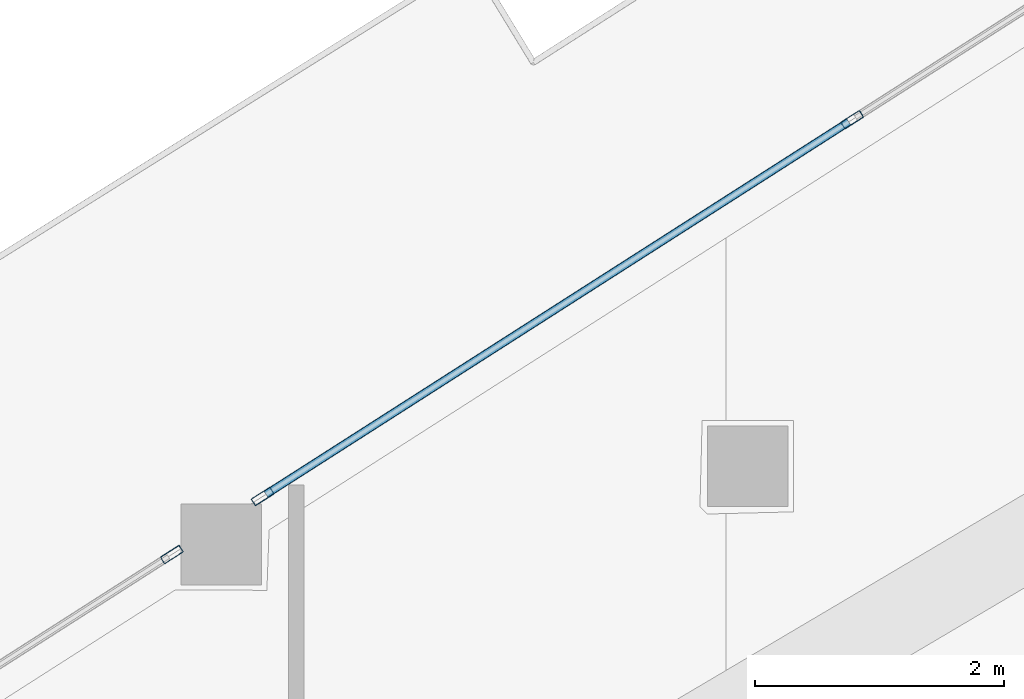
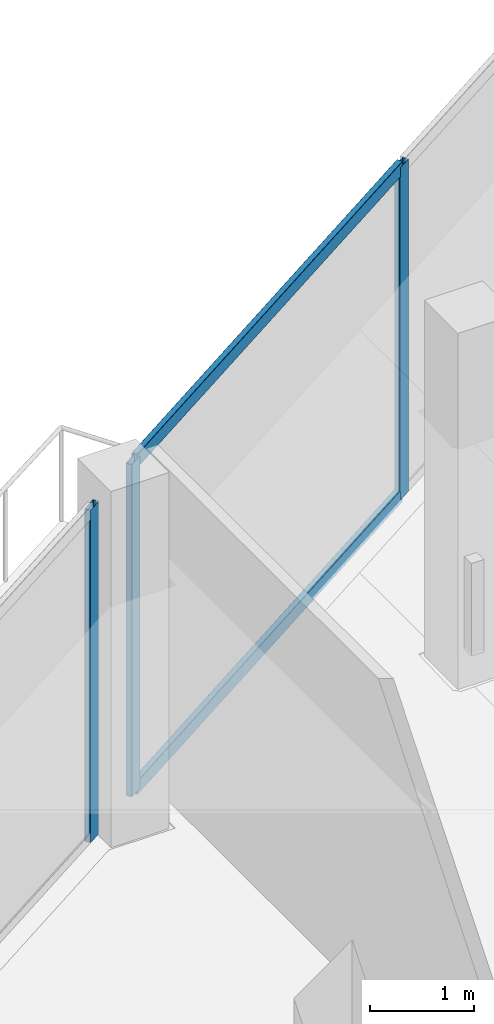
# One storey, part 18 of 45: 5 members, 2 elements without a shape of their own.
"""IFC4 building model written with IfcOpenShell, lengths in metres."""

from ifc_helpers import new_model, si_unit, direction, frame, origin, origin_2d, place, context, subcontext, project, spatial, hollow_rectangle, extrude, material, layer, layer_set, material_profile, profile_set, type_object, element, aggregate, save


model = new_model("IFC4")

# Units and contexts
model_context = context("Model", 3, precision=1e-05, world=origin(), true_north=direction((0.0, 1.0)))
body_context = subcontext(model_context, "Body", "Model", "MODEL_VIEW")
ifc_project = project(units=[si_unit("LENGTHUNIT", "METRE"), si_unit("AREAUNIT", "SQUARE_METRE"), si_unit("VOLUMEUNIT", "CUBIC_METRE"), si_unit("PLANEANGLEUNIT", "RADIAN"), si_unit("MASSUNIT", "GRAM", prefix="KILO")], contexts=[model_context])

# Site, building, storey
site_placement = place(None, origin())
site = spatial("IfcSite", under=ifc_project, at=site_placement, CompositionType="ELEMENT")
building_placement = place(site_placement, origin())
building = spatial("IfcBuilding", under=site, at=building_placement, Name="Qorvath Tower", CompositionType="ELEMENT")
storey_placement = place(building_placement, frame((0.0, 0.0, 91.199951171875)))
storey = spatial("IfcBuildingStorey", under=building, at=storey_placement, Name="L20", CompositionType="ELEMENT", Elevation=91.199951171875)

# Curtain wall, members
ifc_material_1 = material(Name="Anodised aluminium and triple low-E glass", Category="aluminium")
ifc_layer = layer(ifc_material_1, 0.179931640625)
ifc_layer_set = layer_set([ifc_layer], Name="CW-SYS-2")
curtain_wall_type = type_object("IfcCurtainWallType", Name="CW-SYS-2", PredefinedType="NOTDEFINED", material=ifc_layer_set)
curtain_wall_1_placement = place(storey_placement, origin())
curtain_wall_1 = element("IfcCurtainWall", 1, at=curtain_wall_1_placement, inside=storey, type_object=curtain_wall_type, Name="Curtain Wall CW-2 CW-T-L20-16.3", PredefinedType="NOTDEFINED")
ifc_material_2 = material(Name="Anodised aluminium 6063-T6", Category="aluminium")
ifc_material_profile_1 = material_profile(ifc_material_2, hollow_rectangle(XDim=0.06494140625, YDim=0.179931640625, WallThickness=0.00341796875, InnerFilletRadius=0.00341796875, OuterFilletRadius=0.007080078125, at=origin_2d()), Name="CWM 180x65")
ifc_profile_set_1 = profile_set([ifc_material_profile_1], Name="Anodised aluminium 6063-T6")
member_type_1 = type_object("IfcMemberType", Name="CWM-180", PredefinedType="MULLION", material=ifc_profile_set_1)
member_1_placement = place(storey_placement, frame((-30.1767578125, 22.247314453125, 0.0), z_axis=(0.0, 0.0, 1.0), x_axis=(0.538540700777, -0.842599497749, 0.0)))
member_1 = element("IfcMember", 2, at=member_1_placement, type_object=member_type_1, Name="CW-2 mullion 2", PredefinedType="MULLION", context=body_context, shape_type="SweptSolid", body=[
    extrude(hollow_rectangle(XDim=0.06494140625, YDim=0.179931640625, WallThickness=0.00341796875, InnerFilletRadius=0.00341796875, OuterFilletRadius=0.007080078125, at=origin_2d()), origin(), (0.0, 0.0, 1.0), 3.920166015625),
])
member_2_placement = place(storey_placement, frame((-34.91845703125, 19.216796875, 0.0), z_axis=(0.0, 0.0, 1.0), x_axis=(0.538540700777, -0.842599497749, 0.0)))
member_2 = element("IfcMember", 3, at=member_2_placement, type_object=member_type_1, Name="CW-2 mullion 3", PredefinedType="MULLION", context=body_context, shape_type="SweptSolid", body=[
    extrude(hollow_rectangle(XDim=0.06494140625, YDim=0.179931640625, WallThickness=0.00341796875, InnerFilletRadius=0.00341796875, OuterFilletRadius=0.007080078125, at=origin_2d()), origin(), (0.0, 0.0, 1.0), 3.920166015625),
])

# Curtain wall, member
curtain_wall_2_placement = place(storey_placement, origin())
curtain_wall_2 = element("IfcCurtainWall", 4, at=curtain_wall_2_placement, inside=storey, type_object=curtain_wall_type, Name="Curtain Wall CW-2 CW-T-L20-16.4", PredefinedType="NOTDEFINED")
member_3_placement = place(storey_placement, frame((-35.64892578125, 18.749755859375, 0.0), z_axis=(0.0, 0.0, 1.0), x_axis=(0.53852928912, -0.842606791309, 0.0)))
member_3 = element("IfcMember", 5, at=member_3_placement, type_object=member_type_1, Name="CW-2 mullion 1", PredefinedType="MULLION", context=body_context, shape_type="SweptSolid", body=[
    extrude(hollow_rectangle(XDim=0.06494140625, YDim=0.179931640625, WallThickness=0.00341796875, InnerFilletRadius=0.00341796875, OuterFilletRadius=0.007080078125, at=origin_2d()), origin(), (0.0, 0.0, 1.0), 3.920166015625),
])
aggregate(curtain_wall_2, [member_3])

# Member
ifc_material_3 = material(Name="Anodised aluminium 6063-T6", Category="aluminium")
ifc_material_profile_2 = material_profile(ifc_material_3, hollow_rectangle(XDim=0.06494140625, YDim=0.159912109375, WallThickness=0.00341796875, InnerFilletRadius=0.00341796875, OuterFilletRadius=0.007080078125, at=origin_2d()), Name="CWT 160x65")
ifc_profile_set_2 = profile_set([ifc_material_profile_2], Name="Anodised aluminium 6063-T6")
member_type_2 = type_object("IfcMemberType", Name="CWT-160", PredefinedType="USERDEFINED", material=ifc_profile_set_2)
member_4_placement = place(storey_placement, frame((-30.2041015625, 22.229736328125, 0.032470703125), z_axis=(-0.842604426813, -0.538532988697, 0.0), x_axis=(0.538532988697, -0.842604426813, 0.0)))
member_4 = element("IfcMember", 6, at=member_4_placement, type_object=member_type_2, Name="CW-2 transom 2.1", ObjectType="TRANSOM", PredefinedType="USERDEFINED", context=body_context, shape_type="SweptSolid", body=[
    extrude(hollow_rectangle(XDim=0.06494140625, YDim=0.159912109375, WallThickness=0.00341796875, InnerFilletRadius=0.00341796875, OuterFilletRadius=0.007080078125, at=origin_2d()), origin(), (0.0, 0.0, 1.0), 5.5625),
])

member_5_placement = place(storey_placement, frame((-30.2041015625, 22.229736328125, 3.8876953125), z_axis=(-0.842604426813, -0.538532988697, 0.0), x_axis=(0.538532988697, -0.842604426813, 0.0)))
member_5 = element("IfcMember", 7, at=member_5_placement, type_object=member_type_2, Name="CW-2 transom 2.2", ObjectType="TRANSOM", PredefinedType="USERDEFINED", context=body_context, shape_type="SweptSolid", body=[
    extrude(hollow_rectangle(XDim=0.06494140625, YDim=0.159912109375, WallThickness=0.00341796875, InnerFilletRadius=0.00341796875, OuterFilletRadius=0.007080078125, at=origin_2d()), origin(), (0.0, 0.0, 1.0), 5.5625),
])

aggregate(curtain_wall_1, [member_1, member_2, member_4, member_5])

save(model, "model.ifc")
